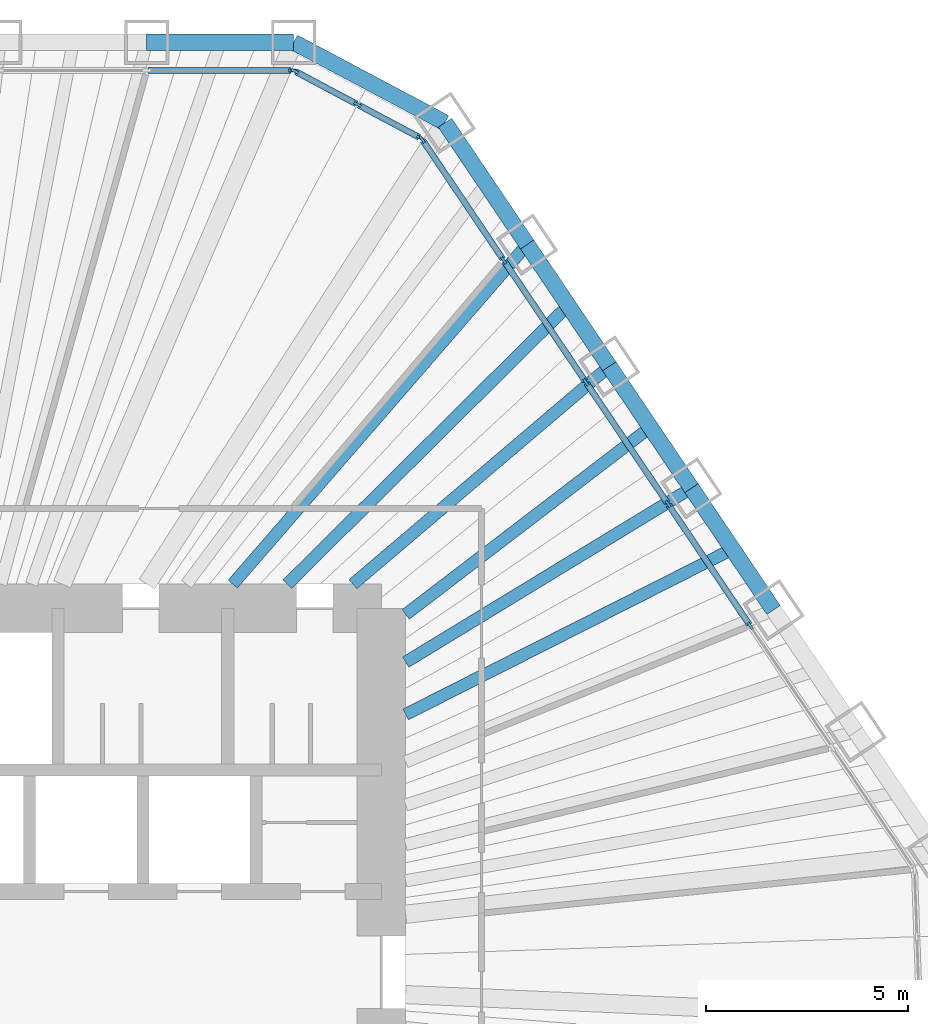
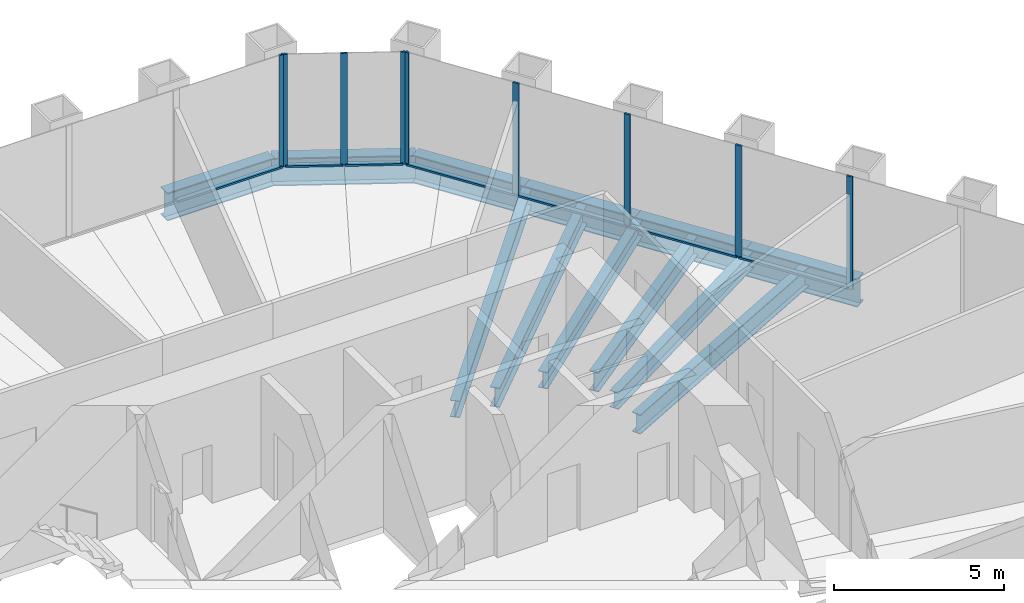
# One storey, part 7 of 13: 16 members, 12 beams, 3 elements without a shape of their own.
"""IFC4 building model written with IfcOpenShell, lengths in metres."""

from ifc_helpers import new_model, si_unit, direction, frame, origin, origin_2d, place, context, subcontext, project, spatial, rectangle, i_section, extrude, material, material_profile, profile_set, type_object, element, aggregate, save


model = new_model("IFC4")

# Units and contexts
model_context = context("Model", 3, precision=1e-05, world=origin(), true_north=direction((0.0, 1.0)))
body_context = subcontext(model_context, "Body", "Model", "MODEL_VIEW")
ifc_project = project(units=[si_unit("LENGTHUNIT", "METRE"), si_unit("AREAUNIT", "SQUARE_METRE"), si_unit("VOLUMEUNIT", "CUBIC_METRE"), si_unit("PLANEANGLEUNIT", "RADIAN"), si_unit("MASSUNIT", "GRAM", prefix="KILO")], contexts=[model_context])

# Site, building, storey
site_placement = place(None, origin())
site = spatial("IfcSite", under=ifc_project, at=site_placement, CompositionType="ELEMENT")
building_placement = place(site_placement, origin())
building = spatial("IfcBuilding", under=site, at=building_placement, Name="Qingtian Harvest Tower", CompositionType="ELEMENT")
storey_placement = place(building_placement, frame((0.0, 0.0, 209.800048828125)))
storey = spatial("IfcBuildingStorey", under=building, at=storey_placement, Name="L45", CompositionType="ELEMENT", Elevation=209.800048828125)

# Beams
ifc_material_1 = material(Name="Steel SN490B", Category="steel")
ifc_material_profile_1 = material_profile(ifc_material_1, i_section(OverallWidth=0.300048828125, OverallDepth=0.60009765625, WebThickness=0.011962890625, FlangeThickness=0.02001953125, at=origin_2d()), Name="H600x300x12x20")
ifc_profile_set_1 = profile_set([ifc_material_profile_1], Name="Steel SN490B")
beam_type_1 = type_object("IfcBeamType", Name="Floor beam FB3 H600x300x12x20", PredefinedType="BEAM", material=ifc_profile_set_1)
beam_1_placement = place(storey_placement, frame((15.603271484375, 17.998046875, -0.469970703125), z_axis=(-0.655048444444, -0.755586881458, 0.0), x_axis=(0.755586881458, -0.655048444444, 0.0)))
element("IfcBeam", 1, at=beam_1_placement, inside=storey, type_object=beam_type_1, Name="Floor beam FB3 NE1", PredefinedType="BEAM", context=body_context, shape_type="SweptSolid", body=[
    extrude(i_section(OverallWidth=0.300048828125, OverallDepth=0.60009765625, WebThickness=0.011962890625, FlangeThickness=0.02001953125, at=origin_2d()), origin(), (0.0, 0.0, 1.0), 11.114501953125),
])
beam_2_placement = place(storey_placement, frame((17.635009765625, 14.985595703125, -0.469970703125), z_axis=(-0.762028398305, -0.647543604846, 0.0), x_axis=(0.647543604846, -0.762028398305, 0.0)))
element("IfcBeam", 2, at=beam_2_placement, inside=storey, type_object=beam_type_1, Name="Floor beam FB3 NE2", PredefinedType="BEAM", context=body_context, shape_type="SweptSolid", body=[
    extrude(i_section(OverallWidth=0.300048828125, OverallDepth=0.60009765625, WebThickness=0.011962890625, FlangeThickness=0.02001953125, at=origin_2d()), origin(), (0.0, 0.0, 1.0), 8.31689453125),
])
beam_3_placement = place(storey_placement, frame((19.6669921875, 11.97314453125, -0.469970703125), z_axis=(-0.854163224424, -0.520004986554, 0.0), x_axis=(0.520004986554, -0.854163224424, 0.0)))
element("IfcBeam", 3, at=beam_3_placement, inside=storey, type_object=beam_type_1, Name="Floor beam FB3 NE3", PredefinedType="BEAM", context=body_context, shape_type="SweptSolid", body=[
    extrude(i_section(OverallWidth=0.300048828125, OverallDepth=0.60009765625, WebThickness=0.011962890625, FlangeThickness=0.02001953125, at=origin_2d()), origin(), (0.0, 0.0, 1.0), 8.2734375),
])
ifc_material_2 = material(Name="Steel SN490B", Category="steel")
ifc_material_profile_2 = material_profile(ifc_material_2, i_section(OverallWidth=0.300048828125, OverallDepth=0.699951171875, WebThickness=0.012939453125, FlangeThickness=0.02392578125, at=origin_2d()), Name="H700x300x13x24")
ifc_profile_set_2 = profile_set([ifc_material_profile_2], Name="Steel SN490B")
beam_type_2 = type_object("IfcBeamType", Name="Floor joist J2 H700x300x13x24", PredefinedType="JOIST", material=ifc_profile_set_2)
beam_4_placement = place(storey_placement, frame((16.619140625, 16.49169921875, -0.52001953125), z_axis=(-0.709833839663, -0.704369164622, 0.0), x_axis=(0.704369164622, -0.709833839663, 0.0)))
element("IfcBeam", 4, at=beam_4_placement, inside=storey, type_object=beam_type_2, Name="Floor joist J2 NE1", PredefinedType="JOIST", context=body_context, shape_type="SweptSolid", body=[
    extrude(i_section(OverallWidth=0.300048828125, OverallDepth=0.699951171875, WebThickness=0.012939453125, FlangeThickness=0.02392578125, at=origin_2d()), origin(), (0.0, 0.0, 1.0), 9.7841796875),
])
beam_5_placement = place(storey_placement, frame((18.651123046875, 13.4794921875, -0.52001953125), z_axis=(-0.794222288871, -0.607627316585, 0.0), x_axis=(0.607627316585, -0.794222288871, 0.0)))
element("IfcBeam", 5, at=beam_5_placement, inside=storey, type_object=beam_type_2, Name="Floor joist J2 NE2", PredefinedType="JOIST", context=body_context, shape_type="SweptSolid", body=[
    extrude(i_section(OverallWidth=0.300048828125, OverallDepth=0.699951171875, WebThickness=0.012939453125, FlangeThickness=0.02392578125, at=origin_2d()), origin(), (0.0, 0.0, 1.0), 7.618896484375),
])
beam_6_placement = place(storey_placement, frame((20.682861328125, 10.467041015625, -0.52001953125), z_axis=(-0.892244443914, -0.451552712652, 0.0), x_axis=(0.451552712652, -0.892244443914, 0.0)))
element("IfcBeam", 6, at=beam_6_placement, inside=storey, type_object=beam_type_2, Name="Floor joist J2 NE3", PredefinedType="JOIST", context=body_context, shape_type="SweptSolid", body=[
    extrude(i_section(OverallWidth=0.300048828125, OverallDepth=0.699951171875, WebThickness=0.012939453125, FlangeThickness=0.02392578125, at=origin_2d()), origin(), (0.0, 0.0, 1.0), 9.058837890625),
])

# Curtain wall, member
ifc_material_3 = material(Name="Bronze-anodised aluminium curtain wall", Category="aluminium")
curtain_wall_type = type_object("IfcCurtainWallType", Name="Curtain wall CW4 office", PredefinedType="USERDEFINED", material=ifc_material_3)
curtain_wall_1_placement = place(storey_placement, origin())
curtain_wall_1 = element("IfcCurtainWall", 7, at=curtain_wall_1_placement, inside=storey, type_object=curtain_wall_type, Name="Curtain wall CW4 L45 N0-5", ObjectType="RECESSED CURTAIN WALL", PredefinedType="USERDEFINED")
ifc_material_4 = material(Name="Bronze-anodised aluminium mullion", Category="aluminium")
ifc_material_profile_3 = material_profile(ifc_material_4, rectangle(XDim=0.06494140625, YDim=0.199951171875, at=origin_2d()), Name="AL 65x200")
ifc_profile_set_3 = profile_set([ifc_material_profile_3], Name="Bronze-anodised aluminium mullion")
member_type_1 = type_object("IfcMemberType", Name="Mullion CWM 65x200", PredefinedType="MULLION", material=ifc_profile_set_3)
member_1_placement = place(storey_placement, frame((9.796875, 22.300048828125, 0.0), z_axis=(0.0, 0.0, 1.0), x_axis=(0.0, 1.0, 0.0)))
member_1 = element("IfcMember", 8, at=member_1_placement, type_object=member_type_1, Name="CW4 mullion 7", PredefinedType="MULLION", context=body_context, shape_type="SweptSolid", body=[
    extrude(rectangle(XDim=0.06494140625, YDim=0.199951171875, at=origin_2d()), origin(), (0.0, 0.0, 1.0), 4.030029296875),
])

# Curtain wall, members
curtain_wall_2_placement = place(storey_placement, origin())
curtain_wall_2 = element("IfcCurtainWall", 9, at=curtain_wall_2_placement, inside=storey, type_object=curtain_wall_type, Name="Curtain wall CW4 L45 NC", ObjectType="RECESSED CURTAIN WALL", PredefinedType="USERDEFINED")
member_2_placement = place(storey_placement, frame((9.85791015625, 22.28466796875, 0.0), z_axis=(0.0, 0.0, 1.0), x_axis=(0.469471562786, 0.882947592859, 0.0)))
member_2 = element("IfcMember", 10, at=member_2_placement, type_object=member_type_1, Name="CW4 mullion 1", PredefinedType="MULLION", context=body_context, shape_type="SweptSolid", body=[
    extrude(rectangle(XDim=0.06494140625, YDim=0.199951171875, at=origin_2d()), origin(), (0.0, 0.0, 1.0), 4.030029296875),
])
member_3_placement = place(storey_placement, frame((11.41015625, 21.45947265625, 0.0), z_axis=(0.0, 0.0, 1.0), x_axis=(0.469471562786, 0.882947592859, 0.0)))
member_3 = element("IfcMember", 11, at=member_3_placement, type_object=member_type_1, Name="CW4 mullion 2", PredefinedType="MULLION", context=body_context, shape_type="SweptSolid", body=[
    extrude(rectangle(XDim=0.06494140625, YDim=0.199951171875, at=origin_2d()), origin(), (0.0, 0.0, 1.0), 4.030029296875),
])
member_4_placement = place(storey_placement, frame((12.96240234375, 20.634033203125, 0.0), z_axis=(0.0, 0.0, 1.0), x_axis=(0.469471562786, 0.882947592859, 0.0)))
member_4 = element("IfcMember", 12, at=member_4_placement, type_object=member_type_1, Name="CW4 mullion 3", PredefinedType="MULLION", context=body_context, shape_type="SweptSolid", body=[
    extrude(rectangle(XDim=0.06494140625, YDim=0.199951171875, at=origin_2d()), origin(), (0.0, 0.0, 1.0), 4.030029296875),
])

curtain_wall_3_placement = place(storey_placement, origin())
curtain_wall_3 = element("IfcCurtainWall", 13, at=curtain_wall_3_placement, inside=storey, type_object=curtain_wall_type, Name="Curtain wall CW4 L45 NE0-5", ObjectType="RECESSED CURTAIN WALL", PredefinedType="USERDEFINED")
member_5_placement = place(storey_placement, frame((13.00927734375, 20.592041015625, 0.0), z_axis=(0.0, 0.0, 1.0), x_axis=(0.829037572555, 0.559192903471, 0.0)))
member_5 = element("IfcMember", 14, at=member_5_placement, type_object=member_type_1, Name="CW4 mullion 1", PredefinedType="MULLION", context=body_context, shape_type="SweptSolid", body=[
    extrude(rectangle(XDim=0.06494140625, YDim=0.199951171875, at=origin_2d()), origin(), (0.0, 0.0, 1.0), 4.030029296875),
])
member_6_placement = place(storey_placement, frame((15.02294921875, 17.6064453125, 0.0), z_axis=(0.0, 0.0, 1.0), x_axis=(0.829037572555, 0.559192903471, 0.0)))
member_6 = element("IfcMember", 15, at=member_6_placement, type_object=member_type_1, Name="CW4 mullion 2", PredefinedType="MULLION", context=body_context, shape_type="SweptSolid", body=[
    extrude(rectangle(XDim=0.06494140625, YDim=0.199951171875, at=origin_2d()), origin(), (0.0, 0.0, 1.0), 4.030029296875),
])
member_7_placement = place(storey_placement, frame((17.0546875, 14.59423828125, 0.0), z_axis=(0.0, 0.0, 1.0), x_axis=(0.829037572555, 0.559192903471, 0.0)))
member_7 = element("IfcMember", 16, at=member_7_placement, type_object=member_type_1, Name="CW4 mullion 3", PredefinedType="MULLION", context=body_context, shape_type="SweptSolid", body=[
    extrude(rectangle(XDim=0.06494140625, YDim=0.199951171875, at=origin_2d()), origin(), (0.0, 0.0, 1.0), 4.030029296875),
])
member_8_placement = place(storey_placement, frame((19.086669921875, 11.581787109375, 0.0), z_axis=(0.0, 0.0, 1.0), x_axis=(0.829037572555, 0.559192903471, 0.0)))
member_8 = element("IfcMember", 17, at=member_8_placement, type_object=member_type_1, Name="CW4 mullion 4", PredefinedType="MULLION", context=body_context, shape_type="SweptSolid", body=[
    extrude(rectangle(XDim=0.06494140625, YDim=0.199951171875, at=origin_2d()), origin(), (0.0, 0.0, 1.0), 4.030029296875),
])
member_9_placement = place(storey_placement, frame((21.118408203125, 8.569580078125, 0.0), z_axis=(0.0, 0.0, 1.0), x_axis=(0.829037572555, 0.559192903471, 0.0)))
member_9 = element("IfcMember", 18, at=member_9_placement, type_object=member_type_1, Name="CW4 mullion 5", PredefinedType="MULLION", context=body_context, shape_type="SweptSolid", body=[
    extrude(rectangle(XDim=0.06494140625, YDim=0.199951171875, at=origin_2d()), origin(), (0.0, 0.0, 1.0), 4.030029296875),
])

# Beams
ifc_material_5 = material(Name="Steel SN490B", Category="steel")
ifc_material_profile_4 = material_profile(ifc_material_5, i_section(OverallWidth=0.39990234375, OverallDepth=1.0, WebThickness=0.01904296875, FlangeThickness=0.035888671875, at=origin_2d()), Name="H1000x400x19x36")
ifc_profile_set_4 = profile_set([ifc_material_profile_4], Name="Steel SN490B")
beam_type_3 = type_object("IfcBeamType", Name="Spandrel beam SB3 H1000x400x19x36", PredefinedType="SPANDREL", material=ifc_profile_set_4)
beam_7_placement = place(storey_placement, frame((6.19580078125, 23.0, -0.5), z_axis=(1.0, 0.0, 0.0), x_axis=(0.0, 1.0, 0.0)))
element("IfcBeam", 19, at=beam_7_placement, inside=storey, type_object=beam_type_3, Name="Spandrel SB3 N5", PredefinedType="SPANDREL", context=body_context, shape_type="SweptSolid", body=[
    extrude(i_section(OverallWidth=0.39990234375, OverallDepth=1.0, WebThickness=0.01904296875, FlangeThickness=0.035888671875, at=origin_2d()), origin(), (0.0, 0.0, 1.0), 3.633544921875),
])
beam_8_placement = place(storey_placement, frame((9.829345703125, 23.0, -0.5), z_axis=(0.882935902835, -0.469493547863, 0.0), x_axis=(0.469493547863, 0.882935902835, 0.0)))
element("IfcBeam", 20, at=beam_8_placement, inside=storey, type_object=beam_type_3, Name="Spandrel SB3 NC", PredefinedType="SPANDREL", context=body_context, shape_type="SweptSolid", body=[
    extrude(i_section(OverallWidth=0.39990234375, OverallDepth=1.0, WebThickness=0.01904296875, FlangeThickness=0.035888671875, at=origin_2d()), origin(), (0.0, 0.0, 1.0), 4.238037109375),
])
for number, where, z_axis, x_axis, name in (
    (21, (13.5712890625, 21.01025390625, -0.5), (0.559235108412, -0.829009103399, 0.0), (0.829009103399, 0.559235108412, 0.0), "Spandrel SB3 NE0"),
    (22, (15.603271484375, 17.998046875, -0.5), (0.55915777886, -0.829061263321, 0.0), (0.829061263321, 0.55915777886, 0.0), "Spandrel SB3 NE1"),
):
    element("IfcBeam", number, at=place(storey_placement, frame(where, z_axis=z_axis, x_axis=x_axis)), inside=storey, type_object=beam_type_3, Name=name, PredefinedType="SPANDREL", context=body_context, shape_type="SweptSolid", body=[
        extrude(i_section(OverallWidth=0.39990234375, OverallDepth=1.0, WebThickness=0.01904296875, FlangeThickness=0.035888671875, at=origin_2d()), origin(), (0.0, 0.0, 1.0), 3.633544921875),
    ])
beam_9_placement = place(storey_placement, frame((17.635009765625, 14.985595703125, -0.5), z_axis=(0.55920395902, -0.829030115385, 0.0), x_axis=(0.829030115385, 0.55920395902, 0.0)))
element("IfcBeam", 23, at=beam_9_placement, inside=storey, type_object=beam_type_3, Name="Spandrel SB3 NE2", PredefinedType="SPANDREL", context=body_context, shape_type="SweptSolid", body=[
    extrude(i_section(OverallWidth=0.39990234375, OverallDepth=1.0, WebThickness=0.01904296875, FlangeThickness=0.035888671875, at=origin_2d()), origin(), (0.0, 0.0, 1.0), 3.6337890625),
])
beam_10_placement = place(storey_placement, frame((19.6669921875, 11.97314453125, -0.5), z_axis=(0.559188928021, -0.829040254016, 0.0), x_axis=(0.829040254016, 0.559188928021, 0.0)))
element("IfcBeam", 24, at=beam_10_placement, inside=storey, type_object=beam_type_3, Name="Spandrel SB3 NE3", PredefinedType="SPANDREL", context=body_context, shape_type="SweptSolid", body=[
    extrude(i_section(OverallWidth=0.39990234375, OverallDepth=1.0, WebThickness=0.01904296875, FlangeThickness=0.035888671875, at=origin_2d()), origin(), (0.0, 0.0, 1.0), 3.63330078125),
])

# Member
ifc_material_6 = material(Name="Bronze-anodised aluminium transom", Category="aluminium")
ifc_material_profile_5 = material_profile(ifc_material_6, rectangle(XDim=0.14990234375, YDim=0.06494140625, at=origin_2d()), Name="AL 65x150")
ifc_profile_set_5 = profile_set([ifc_material_profile_5], Name="Bronze-anodised aluminium transom")
member_type_2 = type_object("IfcMemberType", Name="Transom CWT 65x150", PredefinedType="USERDEFINED", material=ifc_profile_set_5)
member_10_placement = place(storey_placement, frame((6.228271484375, 22.300048828125, 0.032470703125), z_axis=(1.0, 0.0, 0.0), x_axis=(0.0, 1.0, 0.0)))
member_10 = element("IfcMember", 25, at=member_10_placement, type_object=member_type_2, Name="CW4 transom 6.1", ObjectType="TRANSOM", PredefinedType="USERDEFINED", context=body_context, shape_type="SweptSolid", body=[
    extrude(rectangle(XDim=0.14990234375, YDim=0.06494140625, at=origin_2d()), origin(), (0.0, 0.0, 1.0), 3.5361328125),
])

aggregate(curtain_wall_1, [member_1, member_10])

member_11_placement = place(storey_placement, frame((9.88671875, 22.26953125, 0.032470703125), z_axis=(0.882927080927, -0.469510138086, 0.0), x_axis=(0.469510138086, 0.882927080927, 0.0)))
member_11 = element("IfcMember", 26, at=member_11_placement, type_object=member_type_2, Name="CW4 transom 1.1", ObjectType="TRANSOM", PredefinedType="USERDEFINED", context=body_context, shape_type="SweptSolid", body=[
    extrude(rectangle(XDim=0.14990234375, YDim=0.06494140625, at=origin_2d()), origin(), (0.0, 0.0, 1.0), 1.693115234375),
])

member_12_placement = place(storey_placement, frame((11.43896484375, 21.444091796875, 0.032470703125), z_axis=(0.882955074232, -0.469457492098, 0.0), x_axis=(0.469457492098, 0.882955074232, 0.0)))
member_12 = element("IfcMember", 27, at=member_12_placement, type_object=member_type_2, Name="CW4 transom 2.1", ObjectType="TRANSOM", PredefinedType="USERDEFINED", context=body_context, shape_type="SweptSolid", body=[
    extrude(rectangle(XDim=0.14990234375, YDim=0.06494140625, at=origin_2d()), origin(), (0.0, 0.0, 1.0), 1.69287109375),
])

aggregate(curtain_wall_2, [member_2, member_3, member_4, member_11, member_12])

member_13_placement = place(storey_placement, frame((13.02734375, 20.56494140625, 0.032470703125), z_axis=(0.559201266891, -0.829031931295, 0.0), x_axis=(0.829031931295, 0.559201266891, 0.0)))
member_13 = element("IfcMember", 28, at=member_13_placement, type_object=member_type_2, Name="CW4 transom 1.1", ObjectType="TRANSOM", PredefinedType="USERDEFINED", context=body_context, shape_type="SweptSolid", body=[
    extrude(rectangle(XDim=0.14990234375, YDim=0.06494140625, at=origin_2d()), origin(), (0.0, 0.0, 1.0), 3.535888671875),
])

member_14_placement = place(storey_placement, frame((15.041015625, 17.57958984375, 0.032470703125), z_axis=(0.559207281901, -0.829027874, 0.0), x_axis=(0.829027874, 0.559207281901, 0.0)))
member_14 = element("IfcMember", 29, at=member_14_placement, type_object=member_type_2, Name="CW4 transom 2.1", ObjectType="TRANSOM", PredefinedType="USERDEFINED", context=body_context, shape_type="SweptSolid", body=[
    extrude(rectangle(XDim=0.14990234375, YDim=0.06494140625, at=origin_2d()), origin(), (0.0, 0.0, 1.0), 3.568603515625),
])

member_15_placement = place(storey_placement, frame((17.072998046875, 14.567138671875, 0.032470703125), z_axis=(0.559191977147, -0.829038197368, 0.0), x_axis=(0.829038197368, 0.559191977147, 0.0)))
member_15 = element("IfcMember", 30, at=member_15_placement, type_object=member_type_2, Name="CW4 transom 3.1", ObjectType="TRANSOM", PredefinedType="USERDEFINED", context=body_context, shape_type="SweptSolid", body=[
    extrude(rectangle(XDim=0.14990234375, YDim=0.06494140625, at=origin_2d()), origin(), (0.0, 0.0, 1.0), 3.568359375),
])

member_16_placement = place(storey_placement, frame((19.104736328125, 11.554931640625, 0.032470703125), z_axis=(0.559207281901, -0.829027874, 0.0), x_axis=(0.829027874, 0.559207281901, 0.0)))
member_16 = element("IfcMember", 31, at=member_16_placement, type_object=member_type_2, Name="CW4 transom 4.1", ObjectType="TRANSOM", PredefinedType="USERDEFINED", context=body_context, shape_type="SweptSolid", body=[
    extrude(rectangle(XDim=0.14990234375, YDim=0.06494140625, at=origin_2d()), origin(), (0.0, 0.0, 1.0), 3.568603515625),
])

aggregate(curtain_wall_3, [member_5, member_6, member_7, member_8, member_9, member_13, member_14, member_15, member_16])

save(model, "model.ifc")
